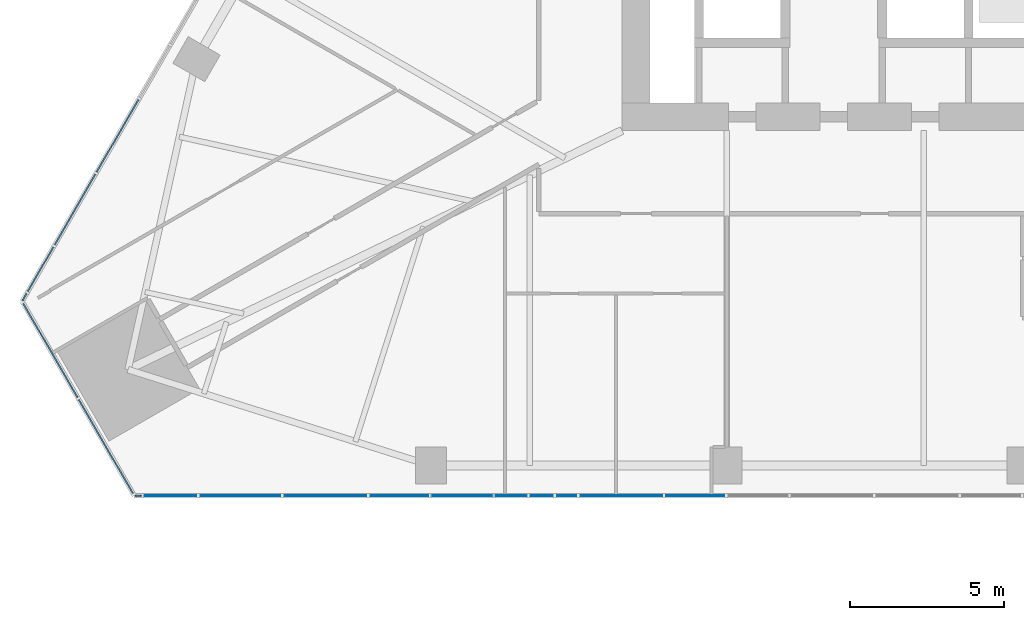
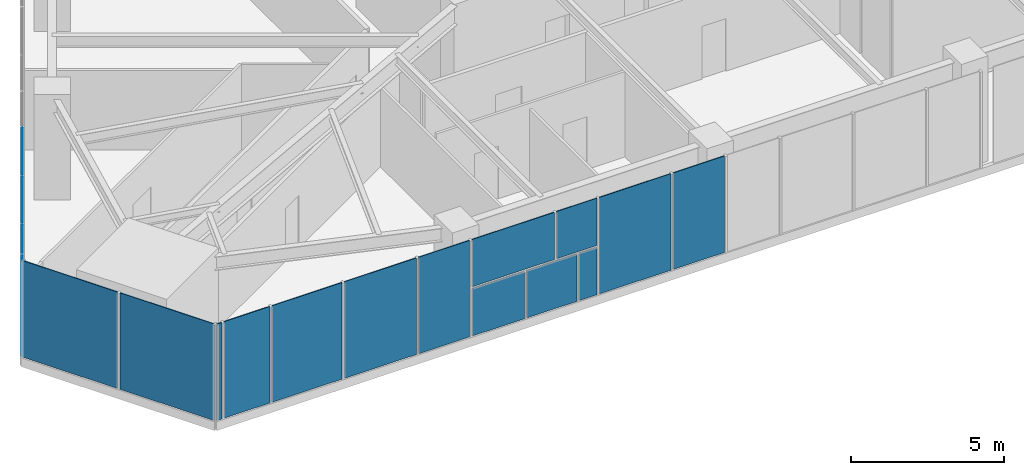
# One storey, part 15 of 29: 18 plates, 3 elements without a shape of their own.
"""IFC4 building model written with IfcOpenShell, lengths in metres."""

from ifc_helpers import new_model, si_unit, direction, frame, origin, place, context, subcontext, project, spatial, polyline, outline, extrude, material, layer, layer_set, type_object, element, aggregate, save


model = new_model("IFC4")

# Units and contexts
model_context = context("Model", 3, precision=1e-05, world=origin(), true_north=direction((0.0, 1.0)))
body_context = subcontext(model_context, "Body", "Model", "MODEL_VIEW")
ifc_project = project(units=[si_unit("LENGTHUNIT", "METRE"), si_unit("AREAUNIT", "SQUARE_METRE"), si_unit("VOLUMEUNIT", "CUBIC_METRE"), si_unit("PLANEANGLEUNIT", "RADIAN"), si_unit("MASSUNIT", "GRAM", prefix="KILO")], contexts=[model_context])

# Site, building, storey
site_placement = place(None, origin())
site = spatial("IfcSite", under=ifc_project, at=site_placement, CompositionType="ELEMENT")
building_placement = place(site_placement, origin())
building = spatial("IfcBuilding", under=site, at=building_placement, Name="Firuza Gate Tower and Library", CompositionType="ELEMENT")
storey_placement = place(building_placement, frame((0.0, 0.0, 44.199951171875)))
storey = spatial("IfcBuildingStorey", under=building, at=storey_placement, Name="L09", CompositionType="ELEMENT", Elevation=44.199951171875)

# Curtain wall, plates
ifc_material_1 = material(Name="Aluminium 6063-T6", Category="aluminium")
ifc_layer_1 = layer(ifc_material_1, 0.14990234375)
ifc_layer_set_1 = layer_set([ifc_layer_1], Name="Corner curtain wall, chamfers")
curtain_wall_type_1 = type_object("IfcCurtainWallType", Name="Corner curtain wall, chamfers", PredefinedType="NOTDEFINED", material=ifc_layer_set_1)
placement = place(storey_placement, origin())
curtain_wall_1 = element("IfcCurtainWall", 1, at=placement, inside=storey, type_object=curtain_wall_type_1, Name="CW4 L09 SW corner", PredefinedType="NOTDEFINED")
ifc_material_2 = material(Name="Fritted glass", Category="glass")
ifc_layer_2 = layer(ifc_material_2, 0.030029296875)
ifc_layer_set_2 = layer_set([ifc_layer_2], Name="Fritted glass unit, corners")
plate_type_1 = type_object("IfcPlateType", Name="Fritted glass unit, corners", PredefinedType="CURTAIN_PANEL", material=ifc_layer_set_2)
plate_1_placement = place(storey_placement, frame((42.5205078125, 60.40869140625, 0.150146484375), z_axis=(-0.866046390552, -0.49996364809, 0.0), x_axis=(0.49996364809, -0.866046390552, 0.0)))
plate_1 = element("IfcPlate", 2, at=plate_1_placement, type_object=plate_type_1, Name="Glass unit", PredefinedType="CURTAIN_PANEL", context=body_context, shape_type="SweptSolid", body=[
    extrude(outline(polyline([(0.0, 0.0), (3.563247342942594, 0.0), (3.563247342942594, 3.849853515625), (0.0, 3.849853515625), (0.0, 0.0)])), origin(), (0.0, 0.0, -1.0), 0.030029296875),
])
plate_2_placement = place(storey_placement, frame((44.342041015625, 57.25341796875, 0.150146484375), z_axis=(-0.866016723041, -0.500015035186, 0.0), x_axis=(0.500015035186, -0.866016723041, 0.0)))
plate_2 = element("IfcPlate", 3, at=plate_2_placement, type_object=plate_type_1, Name="Glass unit", PredefinedType="CURTAIN_PANEL", context=body_context, shape_type="SweptSolid", body=[
    extrude(outline(polyline([(0.0, 0.0), (3.5633694106530625, 0.0), (3.5633694106530625, 3.849853515625), (0.0, 3.849853515625), (0.0, 0.0)])), origin(), (0.0, 0.0, -1.0), 0.030029296875),
])
aggregate(curtain_wall_1, [plate_1, plate_2])

ifc_material_3 = material(Name="Aluminium 6063-T6", Category="aluminium")
ifc_layer_3 = layer(ifc_material_3, 0.14990234375)
ifc_layer_set_3 = layer_set([ifc_layer_3], Name="Unitised curtain wall, offices")
curtain_wall_type_2 = type_object("IfcCurtainWallType", Name="Unitised curtain wall, offices", PredefinedType="NOTDEFINED", material=ifc_layer_set_3)
curtain_wall_2 = element("IfcCurtainWall", 4, at=placement, inside=storey, type_object=curtain_wall_type_2, Name="CW1 L09 S face", PredefinedType="NOTDEFINED")
ifc_material_4 = material(Name="Fritted glass", Category="glass")
ifc_layer_4 = layer(ifc_material_4, 0.030029296875)
ifc_layer_set_4 = layer_set([ifc_layer_4], Name="Fritted glass unit, offices")
plate_type_2 = type_object("IfcPlateType", Name="Fritted glass unit, offices", PredefinedType="CURTAIN_PANEL", material=ifc_layer_set_4)
plate_3_placement = place(storey_placement, frame((46.462890625, 54.12548828125, 0.150146484375), z_axis=(0.0, -1.0, 0.0), x_axis=(1.0, 0.0, 0.0)))
plate_3 = element("IfcPlate", 5, at=plate_3_placement, type_object=plate_type_2, Name="Glass unit", PredefinedType="CURTAIN_PANEL", context=body_context, shape_type="SweptSolid", body=[
    extrude(outline(polyline([(0.0, 0.0), (1.734619140625, 0.0), (1.734619140625, 3.849853515625), (0.0, 3.849853515625), (0.0, 0.0)])), origin(), (0.0, 0.0, -1.0), 0.030029296875),
])
plate_4_placement = place(storey_placement, frame((53.802490234375, 54.12548828125, 0.150146484375), z_axis=(0.0, -1.0, 0.0), x_axis=(1.0, 0.0, 0.0)))
plate_4 = element("IfcPlate", 6, at=plate_4_placement, type_object=plate_type_2, Name="Glass unit", PredefinedType="CURTAIN_PANEL", context=body_context, shape_type="SweptSolid", body=[
    extrude(outline(polyline([(0.0, 0.0), (1.9287109375, 0.0), (1.9287109375, 3.849853515625), (0.0, 3.849853515625), (0.0, 0.0)])), origin(), (0.0, 0.0, -1.0), 0.030029296875),
])
plate_5_placement = place(storey_placement, frame((55.81103515625, 54.12548828125, 0.150146484375), z_axis=(0.0, -1.0, 0.0), x_axis=(1.0, 0.0, 0.0)))
plate_5 = element("IfcPlate", 7, at=plate_5_placement, type_object=plate_type_2, Name="Glass unit", PredefinedType="CURTAIN_PANEL", context=body_context, shape_type="SweptSolid", body=[
    extrude(outline(polyline([(0.0, 0.0), (1.986572265625, 0.0), (1.986572265625, 1.885009765625), (0.0, 1.885009765625), (0.0, 0.0)])), origin(), (0.0, 0.0, -1.0), 0.030029296875),
])
plate_6_placement = place(storey_placement, frame((59.85107421875, 54.12548828125, 0.150146484375), z_axis=(0.0, -1.0, 0.0), x_axis=(1.0, 0.0, 0.0)))
plate_6 = element("IfcPlate", 8, at=plate_6_placement, type_object=plate_type_2, Name="Glass unit", PredefinedType="CURTAIN_PANEL", context=body_context, shape_type="SweptSolid", body=[
    extrude(outline(polyline([(0.0, 0.0), (0.687255859375, 0.0), (0.687255859375, 1.885009765625), (0.0, 1.885009765625), (0.0, 0.0)])), origin(), (0.0, 0.0, -1.0), 0.030029296875),
])
plate_7_placement = place(storey_placement, frame((55.81103515625, 54.12548828125, 2.114990234375), z_axis=(0.0, -1.0, 0.0), x_axis=(1.0, 0.0, 0.0)))
plate_7 = element("IfcPlate", 9, at=plate_7_placement, type_object=plate_type_2, Name="Glass unit", PredefinedType="CURTAIN_PANEL", context=body_context, shape_type="SweptSolid", body=[
    extrude(outline(polyline([(0.0, 0.0), (3.109375, 0.0), (3.109375, 1.885009765625), (0.0, 1.885009765625), (0.0, 0.0)])), origin(), (0.0, 0.0, -1.0), 0.030029296875),
])
plate_8_placement = place(storey_placement, frame((63.40234375, 54.12548828125, 0.150146484375), z_axis=(0.0, -1.0, 0.0), x_axis=(1.0, 0.0, 0.0)))
plate_8 = element("IfcPlate", 10, at=plate_8_placement, type_object=plate_type_2, Name="Glass unit", PredefinedType="CURTAIN_PANEL", context=body_context, shape_type="SweptSolid", body=[
    extrude(outline(polyline([(0.0, 0.0), (1.943115234375, 0.0), (1.943115234375, 3.849853515625), (0.0, 3.849853515625), (0.0, 0.0)])), origin(), (0.0, 0.0, -1.0), 0.030029296875),
])

# Curtain wall, plate
curtain_wall_3 = element("IfcCurtainWall", 11, at=placement, inside=storey, type_object=curtain_wall_type_2, Name="CW1 L09 W face", PredefinedType="NOTDEFINED")
plate_9_placement = place(storey_placement, frame((43.520751953125, 62.225830078125, 0.150146484375), z_axis=(-0.866066280188, 0.499929193308, 0.0), x_axis=(-0.499929193308, -0.866066280188, 0.0)))
plate_9 = element("IfcPlate", 12, at=plate_9_placement, type_object=plate_type_2, Name="Glass unit", PredefinedType="CURTAIN_PANEL", context=body_context, shape_type="SweptSolid", body=[
    extrude(outline(polyline([(0.0, 0.0), (1.669670041375162, 0.0), (1.669670041375162, 3.849853515625), (0.0, 3.849853515625), (0.0, 0.0)])), origin(), (0.0, 0.0, -1.0), 0.030029296875),
])

# Plate
ifc_material_5 = material(Name="Glazed ceramic tile")
ifc_layer_5 = layer(ifc_material_5, 0.030029296875)
ifc_layer_set_5 = layer_set([ifc_layer_5], Name="Opaque ceramic panel, offices")
plate_type_3 = type_object("IfcPlateType", Name="Opaque ceramic panel, offices", PredefinedType="CURTAIN_PANEL", material=ifc_layer_set_5)
plate_10_placement = place(storey_placement, frame((46.19677734375, 54.12548828125, 0.150146484375), z_axis=(0.0, -1.0, 0.0), x_axis=(1.0, 0.0, 0.0)))
plate_10 = element("IfcPlate", 13, at=plate_10_placement, type_object=plate_type_3, Name="Opaque ceramic panel", PredefinedType="CURTAIN_PANEL", context=body_context, shape_type="SweptSolid", body=[
    extrude(outline(polyline([(0.0, 0.0), (0.18603515625, 0.0), (0.18603515625, 3.849853515625), (0.0, 3.849853515625), (0.0, 0.0)])), origin(), (0.0, 0.0, -1.0), 0.030029296875),
])

plate_11_placement = place(storey_placement, frame((48.277587890625, 54.12548828125, 0.150146484375), z_axis=(0.0, -1.0, 0.0), x_axis=(1.0, 0.0, 0.0)))
plate_11 = element("IfcPlate", 14, at=plate_11_placement, type_object=plate_type_3, Name="Opaque ceramic panel", PredefinedType="CURTAIN_PANEL", context=body_context, shape_type="SweptSolid", body=[
    extrude(outline(polyline([(0.0, 0.0), (2.646240234375, 0.0), (2.646240234375, 3.849853515625), (0.0, 3.849853515625), (0.0, 0.0)])), origin(), (0.0, 0.0, -1.0), 0.030029296875),
])

plate_12_placement = place(storey_placement, frame((51.00390625, 54.12548828125, 0.150146484375), z_axis=(0.0, -1.0, 0.0), x_axis=(1.0, 0.0, 0.0)))
plate_12 = element("IfcPlate", 15, at=plate_12_placement, type_object=plate_type_3, Name="Opaque ceramic panel", PredefinedType="CURTAIN_PANEL", context=body_context, shape_type="SweptSolid", body=[
    extrude(outline(polyline([(0.0, 0.0), (2.718505859375, 0.0), (2.718505859375, 3.849853515625), (0.0, 3.849853515625), (0.0, 0.0)])), origin(), (0.0, 0.0, -1.0), 0.030029296875),
])

plate_13_placement = place(storey_placement, frame((57.877685546875, 54.12548828125, 0.150146484375), z_axis=(0.0, -1.0, 0.0), x_axis=(1.0, 0.0, 0.0)))
plate_13 = element("IfcPlate", 16, at=plate_13_placement, type_object=plate_type_3, Name="Opaque ceramic panel", PredefinedType="CURTAIN_PANEL", context=body_context, shape_type="SweptSolid", body=[
    extrude(outline(polyline([(0.0, 0.0), (1.893310546875, 0.0), (1.893310546875, 1.885009765625), (0.0, 1.885009765625), (0.0, 0.0)])), origin(), (0.0, 0.0, -1.0), 0.030029296875),
])

plate_14_placement = place(storey_placement, frame((59.00048828125, 54.12548828125, 2.114990234375), z_axis=(0.0, -1.0, 0.0), x_axis=(1.0, 0.0, 0.0)))
plate_14 = element("IfcPlate", 17, at=plate_14_placement, type_object=plate_type_3, Name="Opaque ceramic panel", PredefinedType="CURTAIN_PANEL", context=body_context, shape_type="SweptSolid", body=[
    extrude(outline(polyline([(0.0, 0.0), (1.537841796875, 0.0), (1.537841796875, 1.885009765625), (0.0, 1.885009765625), (0.0, 0.0)])), origin(), (0.0, 0.0, -1.0), 0.030029296875),
])

plate_15_placement = place(storey_placement, frame((60.618408203125, 54.12548828125, 0.150146484375), z_axis=(0.0, -1.0, 0.0), x_axis=(1.0, 0.0, 0.0)))
plate_15 = element("IfcPlate", 18, at=plate_15_placement, type_object=plate_type_3, Name="Opaque ceramic panel", PredefinedType="CURTAIN_PANEL", context=body_context, shape_type="SweptSolid", body=[
    extrude(outline(polyline([(0.0, 0.0), (2.7041015625, 0.0), (2.7041015625, 3.849853515625), (0.0, 3.849853515625), (0.0, 0.0)])), origin(), (0.0, 0.0, -1.0), 0.030029296875),
])

aggregate(curtain_wall_2, [plate_10, plate_3, plate_11, plate_12, plate_4, plate_5, plate_13, plate_6, plate_7, plate_14, plate_15, plate_8])

plate_16_placement = place(storey_placement, frame((46.283203125, 67.01025390625, 0.150146484375), z_axis=(-0.866040517432, 0.499973821481, 0.0), x_axis=(-0.499973821481, -0.866040517432, 0.0)))
plate_16 = element("IfcPlate", 19, at=plate_16_placement, type_object=plate_type_3, Name="Opaque ceramic panel", PredefinedType="CURTAIN_PANEL", context=body_context, shape_type="SweptSolid", body=[
    extrude(outline(polyline([(0.0, 0.0), (2.7184040463331014, 0.0), (2.7184040463331014, 3.849853515625), (0.0, 3.849853515625), (0.0, 0.0)])), origin(), (0.0, 0.0, -1.0), 0.030029296875),
])

plate_17_placement = place(storey_placement, frame((44.884033203125, 64.5869140625, 0.150146484375), z_axis=(-0.866031967744, 0.499988630717, 0.0), x_axis=(-0.499988630717, -0.866031967744, 0.0)))
plate_17 = element("IfcPlate", 20, at=plate_17_placement, type_object=plate_type_3, Name="Opaque ceramic panel", PredefinedType="CURTAIN_PANEL", context=body_context, shape_type="SweptSolid", body=[
    extrude(outline(polyline([(0.0, 0.0), (2.6465445536285275, 0.0), (2.6465445536285275, 3.849853515625), (0.0, 3.849853515625), (0.0, 0.0)])), origin(), (0.0, 0.0, -1.0), 0.030029296875),
])

plate_18_placement = place(storey_placement, frame((42.64599609375, 60.71044921875, 0.150146484375), z_axis=(-0.866201770413, 0.499694399542, 0.0), x_axis=(-0.499694399542, -0.866201770413, 0.0)))
plate_18 = element("IfcPlate", 21, at=plate_18_placement, type_object=plate_type_3, Name="Opaque ceramic panel", PredefinedType="CURTAIN_PANEL", context=body_context, shape_type="SweptSolid", body=[
    extrude(outline(polyline([(0.0, 0.0), (0.25113005341856437, 0.0), (0.25113005341856437, 3.849853515625), (0.0, 3.849853515625), (0.0, 0.0)])), origin(), (0.0, 0.0, -1.0), 0.030029296875),
])

aggregate(curtain_wall_3, [plate_16, plate_17, plate_9, plate_18])

save(model, "model.ifc")
